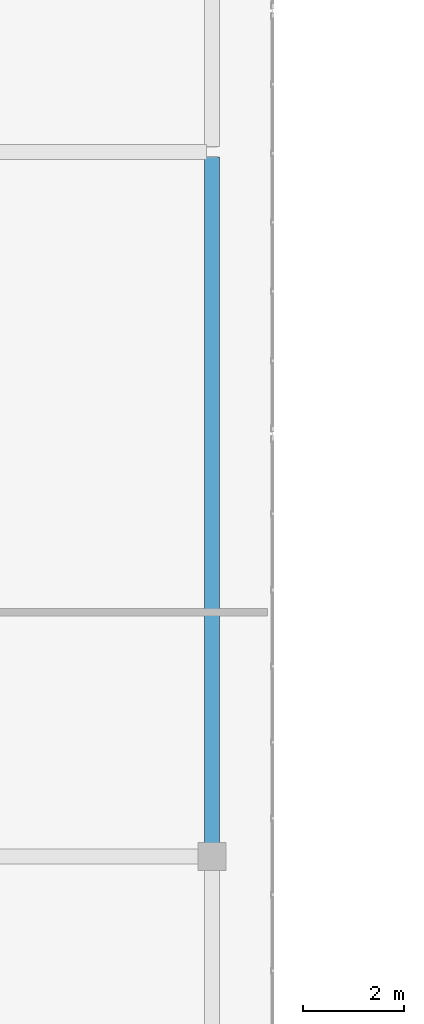
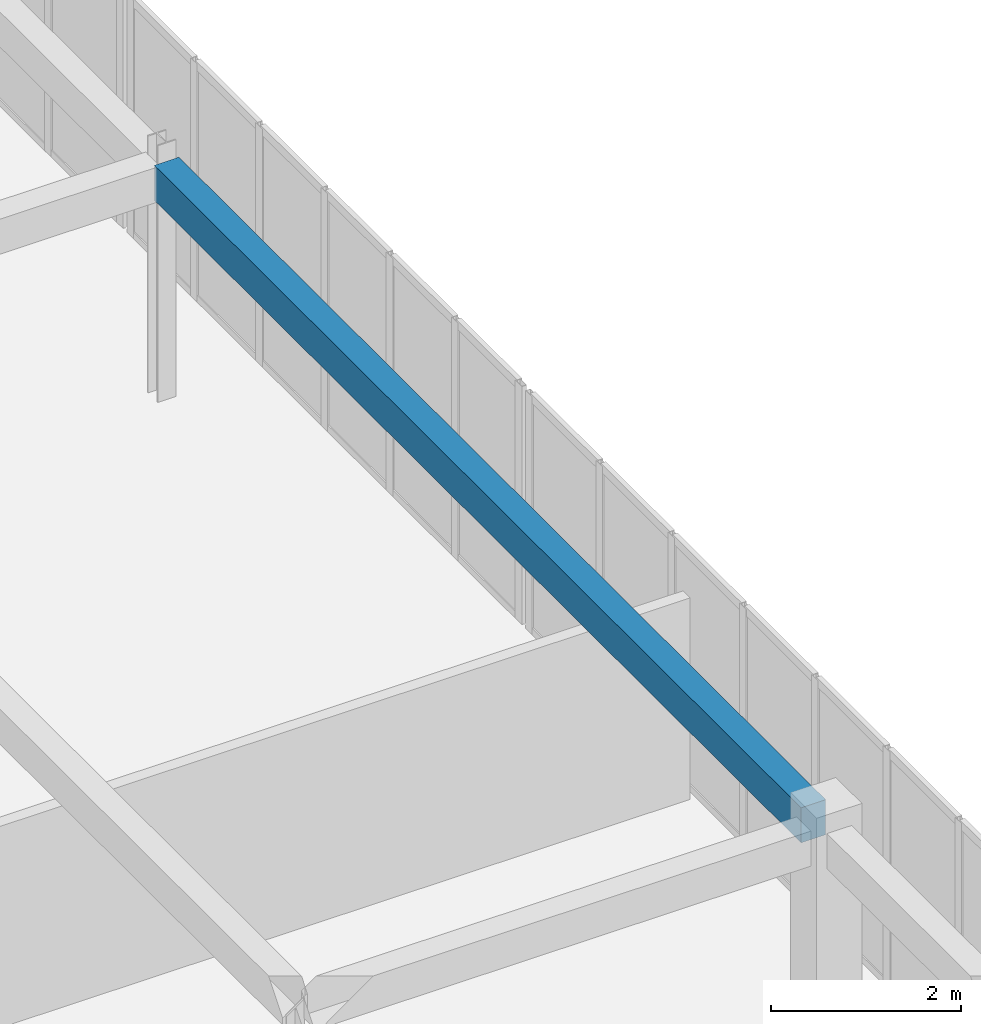
# One storey, part 76 of 148: 1 beam.
"""IFC4 building model written with IfcOpenShell, lengths in metres."""

from ifc_helpers import new_model, si_unit, direction, frame, origin, origin_2d, place, context, subcontext, project, spatial, rectangle, extrude, material, material_profile, profile_set, type_object, element, save


model = new_model("IFC4")

# Units and contexts
model_context = context("Model", 3, precision=1e-05, world=origin(), true_north=direction((0.0, 1.0)))
body_context = subcontext(model_context, "Body", "Model", "MODEL_VIEW")
ifc_project = project(units=[si_unit("LENGTHUNIT", "METRE"), si_unit("AREAUNIT", "SQUARE_METRE"), si_unit("VOLUMEUNIT", "CUBIC_METRE"), si_unit("PLANEANGLEUNIT", "RADIAN"), si_unit("MASSUNIT", "GRAM", prefix="KILO")], contexts=[model_context])

# Site, building, storey
site_placement = place(None, origin())
site = spatial("IfcSite", under=ifc_project, at=site_placement, CompositionType="ELEMENT")
building_placement = place(site_placement, origin())
building = spatial("IfcBuilding", under=site, at=building_placement, Name="Trelvath General Hospital", CompositionType="ELEMENT")
storey_placement = place(building_placement, frame((0.0, 0.0, 12.89990234375)))
storey = spatial("IfcBuildingStorey", under=building, at=storey_placement, Name="L03", CompositionType="ELEMENT", Elevation=12.89990234375)

# Beam
ifc_material = material(Name="Concrete C35/45", Category="concrete")
ifc_material_profile = material_profile(ifc_material, rectangle(XDim=0.300048828125, YDim=0.449951171875, at=origin_2d()), Name="RCB300x450")
ifc_profile_set = profile_set([ifc_material_profile], Name="Concrete C35/45")
beam_type = type_object("IfcBeamType", Name="Beam RC300x450", PredefinedType="BEAM", material=ifc_profile_set)
beam_placement = place(storey_placement, frame((113.60009765625, 59.071044921875, 2.835205078125), z_axis=(0.0, 1.0, 0.0), x_axis=(-1.0, 0.0, 0.0)))
element("IfcBeam", 1, at=beam_placement, inside=storey, type_object=beam_type, Name="Cube Interior Ring Beam CUBE-E-T1 L03", PredefinedType="BEAM", context=body_context, shape_type="SweptSolid", body=[
    extrude(rectangle(XDim=0.300048828125, YDim=0.449951171875, at=origin_2d()), origin(), (0.0, 0.0, 1.0), 13.623046875),
])

save(model, "model.ifc")
